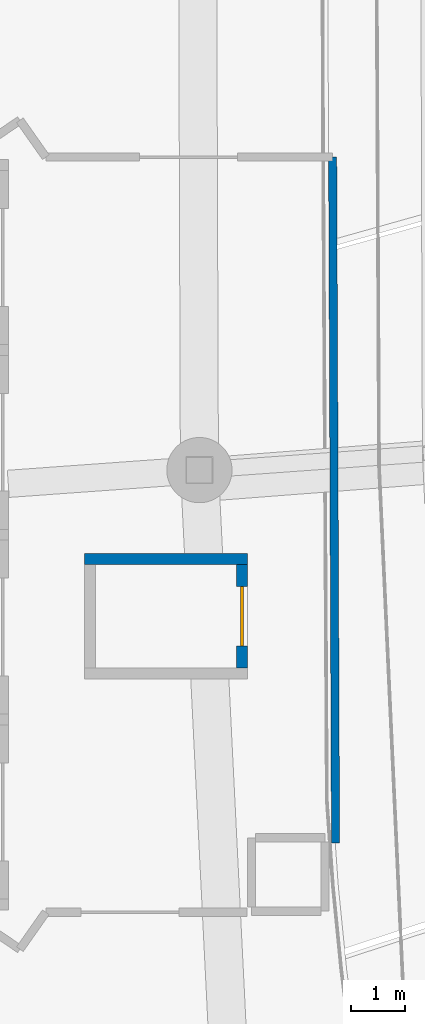
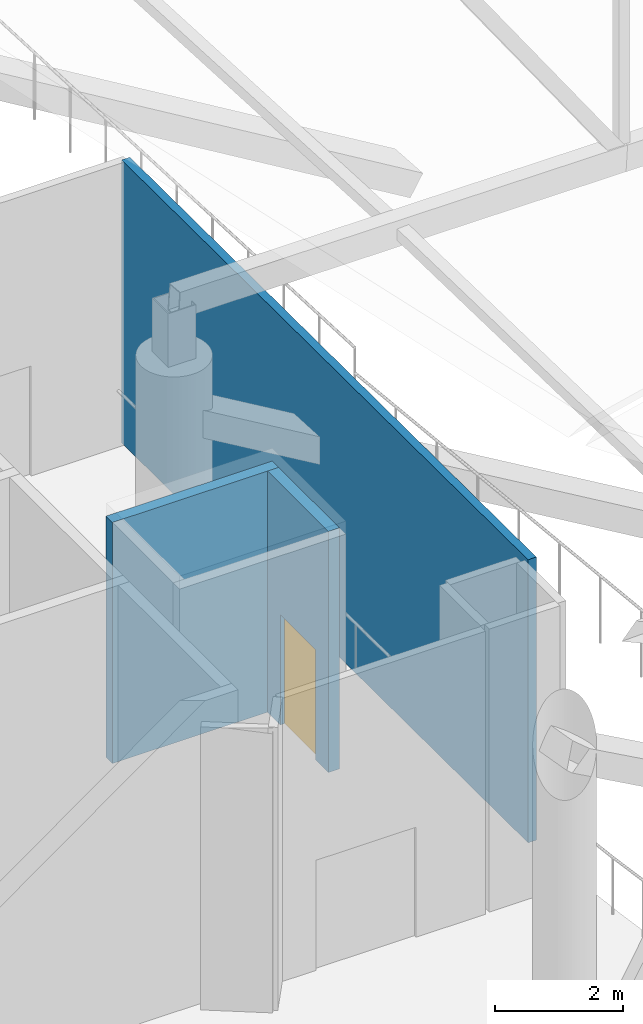
# One storey, part 246 of 344: 3 walls, 1 door, 1 opening.
"""IFC4 building model written with IfcOpenShell, lengths in metres."""

from ifc_helpers import new_model, si_unit, direction, frame, frame_2d, origin, place, context, subcontext, project, spatial, rectangle, extrude, material, layer, layer_set, type_object, element, fill, save


model = new_model("IFC4")

# Units and contexts
model_context = context("Model", 3, precision=1e-05, world=origin(), true_north=direction((0.0, 1.0)))
body_context = subcontext(model_context, "Body", "Model", "MODEL_VIEW")
ifc_project = project(units=[si_unit("LENGTHUNIT", "METRE"), si_unit("AREAUNIT", "SQUARE_METRE"), si_unit("VOLUMEUNIT", "CUBIC_METRE"), si_unit("PLANEANGLEUNIT", "RADIAN"), si_unit("MASSUNIT", "GRAM", prefix="KILO")], contexts=[model_context])

# Site, building, storey
site_placement = place(None, origin())
site = spatial("IfcSite", under=ifc_project, at=site_placement, CompositionType="ELEMENT")
building_placement = place(site_placement, origin())
building = spatial("IfcBuilding", under=site, at=building_placement, Name="Meseta Stadium", CompositionType="ELEMENT")
storey_placement = place(building_placement, frame((0.0, 0.0, 24.0)))
storey = spatial("IfcBuildingStorey", under=building, at=storey_placement, Name="L04", CompositionType="ELEMENT", Elevation=24.0)

# Wall
ifc_material_1 = material(Name="Concrete C40/50", Category="concrete")
ifc_layer_1 = layer(ifc_material_1, 0.199951171875)
ifc_layer_set_1 = layer_set([ifc_layer_1], Name="Core shaft wall 200")
wall_type_1 = type_object("IfcWallType", Name="Core shaft wall 200", PredefinedType="SHEAR", material=ifc_layer_set_1)
wall_1_placement = place(storey_placement, frame((-87.0, -44.199951171875, 0.0), z_axis=(0.0, 0.0, 1.0), x_axis=(1.0, 0.0, 0.0)))
element("IfcWall", 1, at=wall_1_placement, inside=storey, type_object=wall_type_1, Name="Core 19 L04 lift shaft wall left", PredefinedType="SHEAR", context=body_context, shape_type="SweptSolid", body=[
    extrude(rectangle(XDim=3.0, YDim=0.199951171875, at=frame_2d((1.5, 0.0))), origin(), (0.0, 0.0, 1.0), 4.60009765625),
])

# Wall, opening, door
wall_2_placement = place(storey_placement, frame((-84.10009765625, -44.300048828125, 0.0), z_axis=(0.0, 0.0, 1.0), x_axis=(0.0, -1.0, 0.0)))
wall_2 = element("IfcWall", 2, at=wall_2_placement, inside=storey, type_object=wall_type_1, Name="Core 19 L04 lift shaft front wall", PredefinedType="SHEAR", context=body_context, shape_type="SweptSolid", body=[
    extrude(rectangle(XDim=1.89990234375, YDim=0.199951171875, at=frame_2d((0.949951171875, 0.0))), origin(), (0.0, 0.0, 1.0), 4.60009765625),
])
opening_placement = place(wall_2_placement, frame((0.39990234375, 0.0, 0.0)))
opening = element("IfcOpeningElement", 3, at=opening_placement, cuts=wall_2, Name="Opening LD108", PredefinedType="OPENING", context=body_context, shape_type="SweptSolid", body=[
    extrude(rectangle(XDim=1.10009765625, YDim=2.10009765625, at=frame_2d((0.550048828125, 1.050048828125))), frame((0.0, 0.10986328125, 0.0), z_axis=(0.0, -1.0, 0.0), x_axis=(1.0, 0.0, 0.0)), (0.0, 0.0, 1.0), 0.219970703125),
])
ifc_material_2 = material(Name="Steel", Category="steel")
door_type = type_object("IfcDoorType", Name="Lift landing door 1100x2100", OperationType="SLIDING_TO_LEFT", PredefinedType="DOOR", material=ifc_material_2)
door_placement = place(opening_placement, origin())
door = element("IfcDoor", 4, at=door_placement, inside=storey, type_object=door_type, Name="Lift landing door LD108", OperationType="SLIDING_TO_RIGHT", OverallHeight=2.10009765625, OverallWidth=1.10009765625, PredefinedType="DOOR", context=body_context, shape_type="SweptSolid", body=[
    extrude(rectangle(XDim=1.10009765625, YDim=2.10009765625, at=frame_2d((0.550048828125, 1.050048828125))), frame((0.0, 0.02490234375, 0.0), z_axis=(0.0, -1.0, 0.0), x_axis=(1.0, 0.0, 0.0)), (0.0, 0.0, 1.0), 0.050048828125),
])
fill(opening, door)

# Wall
ifc_material_3 = material(Name="Masonry blockwork", Category="masonry")
ifc_layer_2 = layer(ifc_material_3, 0.14990234375)
ifc_layer_set_2 = layer_set([ifc_layer_2], Name="Partition 150")
wall_type_2 = type_object("IfcWallType", Name="Partition 150", PredefinedType="PARTITIONING", material=ifc_layer_set_2)
wall_3_placement = place(storey_placement, frame((-82.380126953125, -49.41748046875, 0.0), z_axis=(0.0, 0.0, 1.0), x_axis=(-0.004239136529, 0.99999101482, 0.0)))
element("IfcWall", 5, at=wall_3_placement, inside=storey, type_object=wall_type_2, Name="Stair vestibule wall L04 core 19", PredefinedType="PARTITIONING", context=body_context, shape_type="SweptSolid", body=[
    extrude(rectangle(XDim=12.612548828125, YDim=0.14990234375, at=frame_2d((6.30615234375, 0.0))), origin(), (0.0, 0.0, 1.0), 5.39990234375),
])

save(model, "model.ifc")
